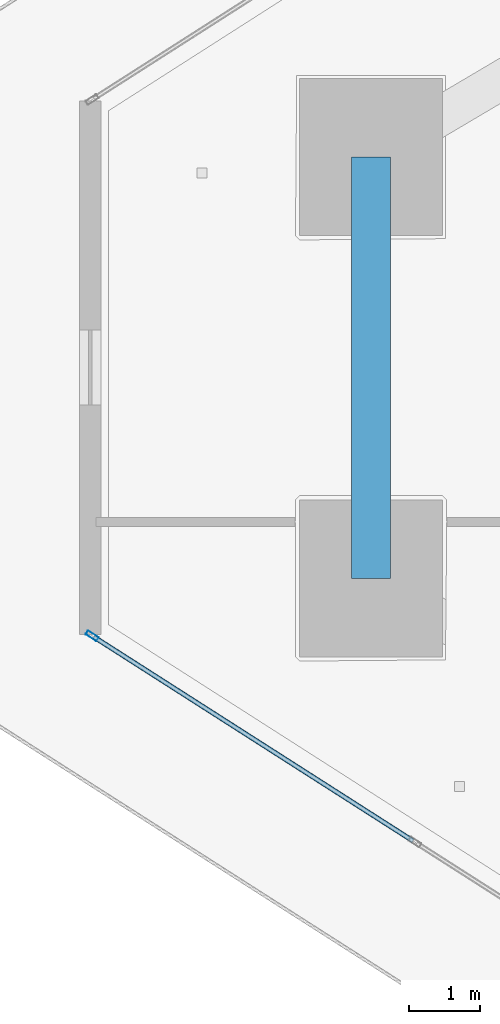
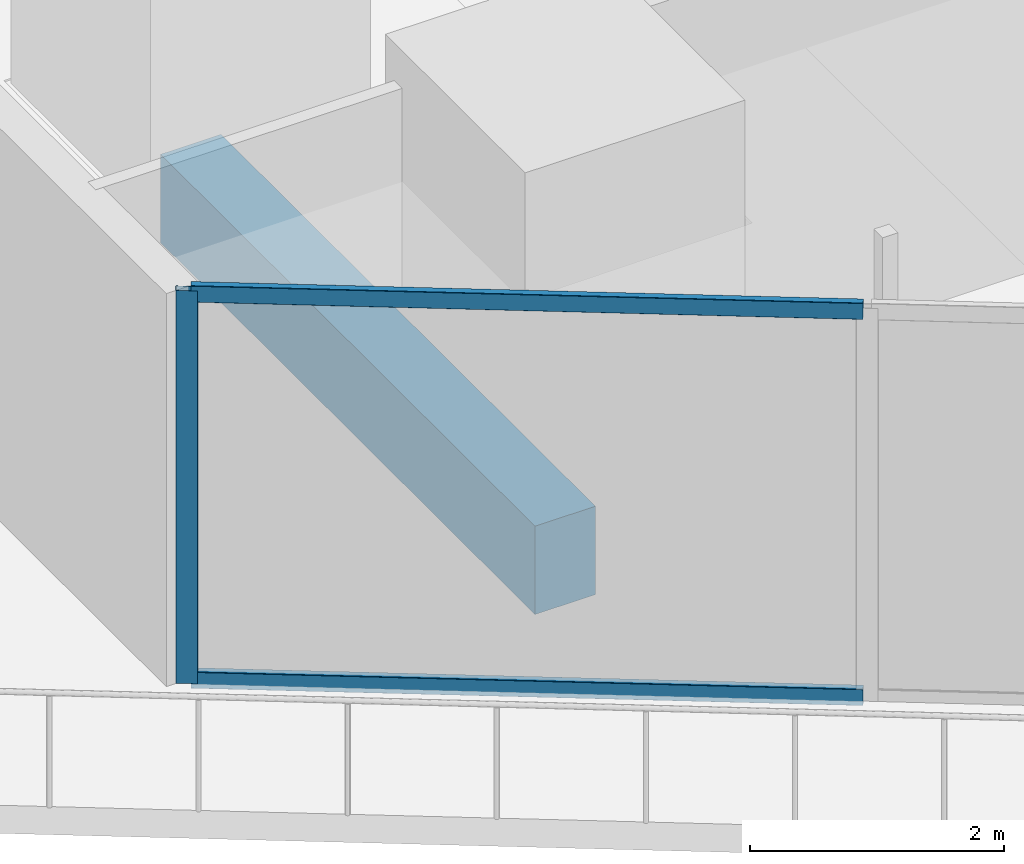
# One storey, part 5 of 38: 3 members, 1 beam, 1 element without a shape of its own.
"""IFC4 building model written with IfcOpenShell, lengths in metres."""

from ifc_helpers import new_model, si_unit, direction, frame, origin, origin_2d, place, context, subcontext, project, spatial, rectangle, hollow_rectangle, extrude, material, layer, layer_set, material_profile, profile_set, type_object, element, aggregate, save


model = new_model("IFC4")

# Units and contexts
model_context = context("Model", 3, precision=1e-05, world=origin(), true_north=direction((0.0, 1.0)))
body_context = subcontext(model_context, "Body", "Model", "MODEL_VIEW")
ifc_project = project(units=[si_unit("LENGTHUNIT", "METRE"), si_unit("AREAUNIT", "SQUARE_METRE"), si_unit("VOLUMEUNIT", "CUBIC_METRE"), si_unit("PLANEANGLEUNIT", "RADIAN"), si_unit("MASSUNIT", "GRAM", prefix="KILO")], contexts=[model_context])

# Site, building, storey
site_placement = place(None, origin())
site = spatial("IfcSite", under=ifc_project, at=site_placement, CompositionType="ELEMENT")
building_placement = place(site_placement, origin())
building = spatial("IfcBuilding", under=site, at=building_placement, Name="Qorvath Tower", CompositionType="ELEMENT")
storey_placement = place(building_placement, frame((0.0, 0.0, 146.25)))
storey = spatial("IfcBuildingStorey", under=building, at=storey_placement, Name="L33", CompositionType="ELEMENT", Elevation=146.25)

# Beam
ifc_material_1 = material(Name="Concrete C50/60", Category="concrete")
ifc_material_profile_1 = material_profile(ifc_material_1, rectangle(XDim=0.550048828125, YDim=0.85009765625, at=origin_2d()), Name="RCB 850x550")
ifc_profile_set_1 = profile_set([ifc_material_profile_1], Name="Concrete C50/60")
beam_type = type_object("IfcBeamType", Name="BM-RCB2", PredefinedType="SPANDREL", material=ifc_profile_set_1)
beam_placement = place(storey_placement, frame((-53.04931640625, 2.95068359375, -0.695068359375), z_axis=(0.0, -1.0, 0.0), x_axis=(1.0, 0.0, 0.0)))
element("IfcBeam", 1, at=beam_placement, inside=storey, type_object=beam_type, Name="Perimeter Loggia Frame Beam MC1-MC2 L33", PredefinedType="SPANDREL", context=body_context, shape_type="SweptSolid", body=[
    extrude(rectangle(XDim=0.550048828125, YDim=0.85009765625, at=origin_2d()), origin(), (0.0, 0.0, 1.0), 5.9013671875),
])

# Curtain wall, members
ifc_material_2 = material(Name="Anodised aluminium and triple low-E glass", Category="aluminium")
ifc_layer = layer(ifc_material_2, 0.179931640625)
ifc_layer_set = layer_set([ifc_layer], Name="CW-SYS-3")
curtain_wall_type = type_object("IfcCurtainWallType", Name="CW-SYS-3", PredefinedType="NOTDEFINED", material=ifc_layer_set)
curtain_wall_placement = place(storey_placement, origin())
curtain_wall = element("IfcCurtainWall", 2, at=curtain_wall_placement, inside=storey, type_object=curtain_wall_type, Name="Curtain Wall CW-3 CW-T-L33-2.1", PredefinedType="NOTDEFINED")
ifc_material_3 = material(Name="Anodised aluminium 6063-T6", Category="aluminium")
ifc_material_profile_2 = material_profile(ifc_material_3, hollow_rectangle(XDim=0.06494140625, YDim=0.179931640625, WallThickness=0.00341796875, InnerFilletRadius=0.00341796875, OuterFilletRadius=0.007080078125, at=origin_2d()), Name="CWM 180x65")
ifc_profile_set_2 = profile_set([ifc_material_profile_2], Name="Anodised aluminium 6063-T6")
member_type_1 = type_object("IfcMemberType", Name="CWM-180", PredefinedType="MULLION", material=ifc_profile_set_2)
member_1_placement = place(storey_placement, frame((-56.957763671875, -3.757080078125, 0.0), z_axis=(0.0, 0.0, 1.0), x_axis=(0.53853296968, 0.842604438967, 0.0)))
member_1 = element("IfcMember", 3, at=member_1_placement, type_object=member_type_1, Name="CW-3 mullion 1", PredefinedType="MULLION", context=body_context, shape_type="SweptSolid", body=[
    extrude(hollow_rectangle(XDim=0.06494140625, YDim=0.179931640625, WallThickness=0.00341796875, InnerFilletRadius=0.00341796875, OuterFilletRadius=0.007080078125, at=origin_2d()), origin(), (0.0, 0.0, 1.0), 3.780029296875),
])
ifc_material_4 = material(Name="Anodised aluminium 6063-T6", Category="aluminium")
ifc_material_profile_3 = material_profile(ifc_material_4, hollow_rectangle(XDim=0.06494140625, YDim=0.159912109375, WallThickness=0.00341796875, InnerFilletRadius=0.00341796875, OuterFilletRadius=0.007080078125, at=origin_2d()), Name="CWT 160x65")
ifc_profile_set_3 = profile_set([ifc_material_profile_3], Name="Anodised aluminium 6063-T6")
member_type_2 = type_object("IfcMemberType", Name="CWT-160", PredefinedType="USERDEFINED", material=ifc_profile_set_3)
member_2_placement = place(storey_placement, frame((-56.930419921875, -3.7744140625, 0.032470703125), z_axis=(0.84259645993, -0.538545453711, 0.0), x_axis=(0.538545453711, 0.84259645993, 0.0)))
member_2 = element("IfcMember", 4, at=member_2_placement, type_object=member_type_2, Name="CW-3 transom 1.1", ObjectType="TRANSOM", PredefinedType="USERDEFINED", context=body_context, shape_type="SweptSolid", body=[
    extrude(hollow_rectangle(XDim=0.06494140625, YDim=0.159912109375, WallThickness=0.00341796875, InnerFilletRadius=0.00341796875, OuterFilletRadius=0.007080078125, at=origin_2d()), origin(), (0.0, 0.0, 1.0), 5.303466796875),
])
member_3_placement = place(storey_placement, frame((-56.930419921875, -3.7744140625, 3.74755859375), z_axis=(0.84259645993, -0.538545453711, 0.0), x_axis=(0.538545453711, 0.84259645993, 0.0)))
member_3 = element("IfcMember", 5, at=member_3_placement, type_object=member_type_2, Name="CW-3 transom 1.2", ObjectType="TRANSOM", PredefinedType="USERDEFINED", context=body_context, shape_type="SweptSolid", body=[
    extrude(hollow_rectangle(XDim=0.06494140625, YDim=0.159912109375, WallThickness=0.00341796875, InnerFilletRadius=0.00341796875, OuterFilletRadius=0.007080078125, at=origin_2d()), origin(), (0.0, 0.0, 1.0), 5.303466796875),
])
aggregate(curtain_wall, [member_1, member_2, member_3])

save(model, "model.ifc")
